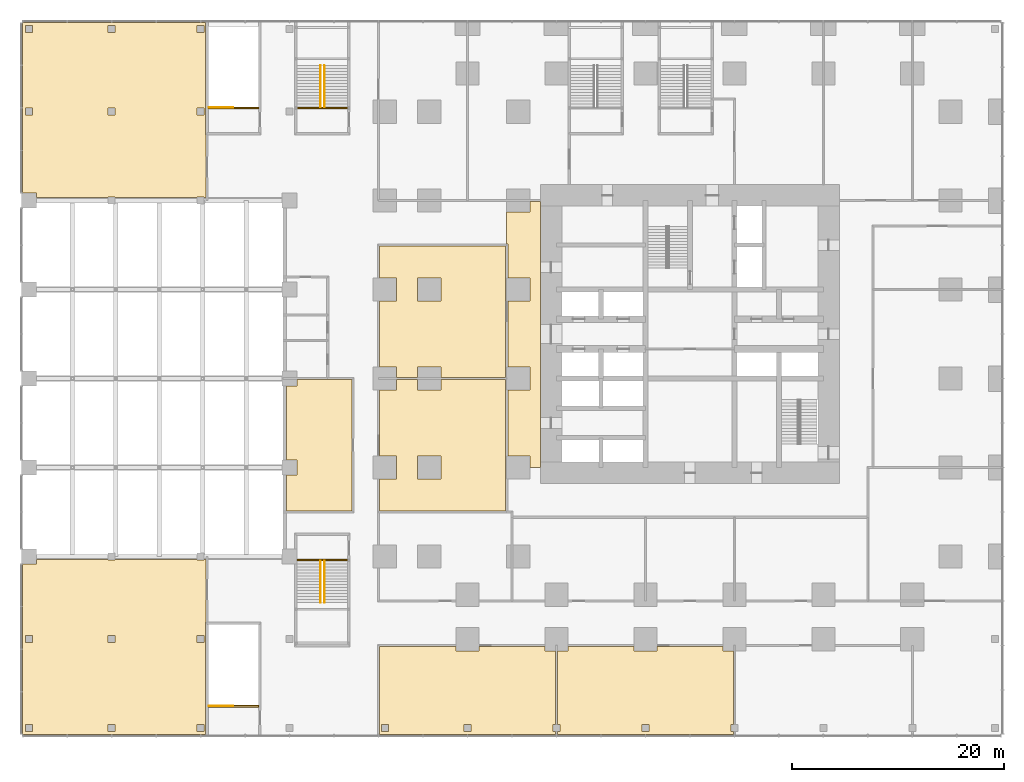
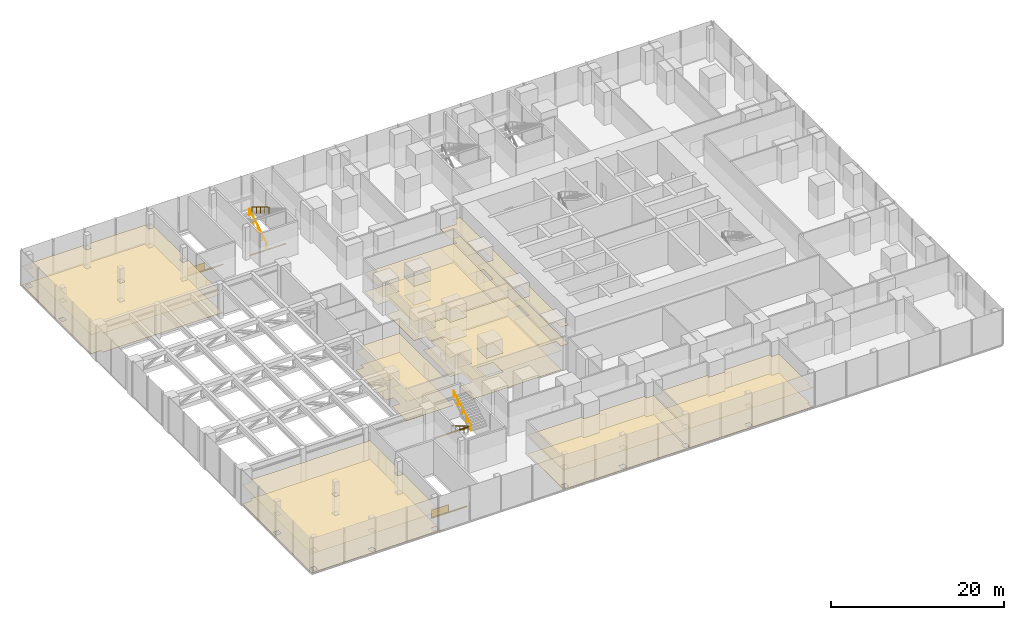
# One storey, part 31 of 33: 20 coverings, 6 railings.
"""IFC4 building model written with IfcOpenShell, lengths in metres."""

from ifc_helpers import new_model, si_unit, direction, frame, origin, origin_2d, place, context, subcontext, project, spatial, polyline, circle, outline, extrude, material, layer, layer_set, type_object, element, save


model = new_model("IFC4")

# Units and contexts
model_context = context("Model", 3, precision=1e-05, world=origin(), true_north=direction((0.0, 1.0)))
body_context = subcontext(model_context, "Body", "Model", "MODEL_VIEW")
ifc_project = project(units=[si_unit("LENGTHUNIT", "METRE"), si_unit("AREAUNIT", "SQUARE_METRE"), si_unit("VOLUMEUNIT", "CUBIC_METRE"), si_unit("PLANEANGLEUNIT", "RADIAN"), si_unit("MASSUNIT", "GRAM", prefix="KILO")], contexts=[model_context])

# Site, building, storey
site_placement = place(None, origin())
site = spatial("IfcSite", under=ifc_project, at=site_placement, CompositionType="ELEMENT")
building_placement = place(site_placement, origin())
building = spatial("IfcBuilding", under=site, at=building_placement, Name="Dunama Terrace Hotel", CompositionType="ELEMENT")
storey_placement = place(building_placement, frame((0.0, 0.0, 12.0)))
storey = spatial("IfcBuildingStorey", under=building, at=storey_placement, Name="L02", CompositionType="ELEMENT", Elevation=12.0)

# Railings
ifc_material_1 = material(Name="Stainless steel and laminated glass guard", Category="steel")
railing_type_1 = type_object("IfcRailingType", Name="Guard 1100", PredefinedType="GUARDRAIL", material=ifc_material_1)
for number, where, name in (
    (1, (-16.02490234375, 50.77490234375, 0.030029296875), "Stair well guard P1 L02"),
    (2, (-16.02490234375, -5.699951171875, 0.030029296875), "Stair well guard P2 L02"),
):
    element("IfcRailing", number, at=place(storey_placement, frame(where)), inside=storey, type_object=railing_type_1, Name=name, PredefinedType="GUARDRAIL", context=body_context, shape_type="SweptSolid", body=[
        extrude(circle(Radius=0.02392578125, at=origin_2d()), frame((0.0, 0.0, 1.076171875), z_axis=(1.0, 0.0, 0.0), x_axis=(0.0, 1.0, 0.0)), (0.0, 0.0, 1.0), 2.2998046875),
        extrude(circle(Radius=0.02099609375, at=origin_2d()), frame((0.0, 0.0, -0.030029296875)), (0.0, 0.0, 1.0), 1.08203125),
        extrude(circle(Radius=0.02099609375, at=origin_2d()), frame((1.14990234375, 0.0, -0.030029296875)), (0.0, 0.0, 1.0), 1.08203125),
        extrude(circle(Radius=0.02099609375, at=origin_2d()), frame((2.2998046875, 0.0, -0.030029296875)), (0.0, 0.0, 1.0), 1.08203125),
        extrude(outline(polyline([(0.0048828125, 0.050048828125), (1.14501953125, 0.050048828125), (1.14501953125, 1.076171875), (0.0048828125, 1.076171875), (0.0048828125, 0.050048828125)])), frame((0.0, 0.0087890625, 0.0), z_axis=(0.0, -1.0, 0.0), x_axis=(1.0, 0.0, 0.0)), (0.0, 0.0, 1.0), 0.017578125),
        extrude(outline(polyline([(0.0048828125, 0.050048828125), (1.14501953125, 0.050048828125), (1.14501953125, 1.076171875), (0.0048828125, 1.076171875), (0.0048828125, 0.050048828125)])), frame((1.14990234375, 0.0087890625, 0.0), z_axis=(0.0, -1.0, 0.0), x_axis=(1.0, 0.0, 0.0)), (0.0, 0.0, 1.0), 0.017578125),
    ])
ifc_material_2 = material(Name="Stainless steel handrail", Category="steel")
railing_type_2 = type_object("IfcRailingType", Name="Stair handrail 900", PredefinedType="HANDRAIL", material=ifc_material_2)
railing_1_placement = place(storey_placement, frame((-5.47509765625, 50.824951171875, 0.166748046875)))
element("IfcRailing", 3, at=railing_1_placement, inside=storey, type_object=railing_type_2, Name="Handrail P3 L02", PredefinedType="HANDRAIL", context=body_context, shape_type="SweptSolid", body=[
    extrude(circle(Radius=0.02392578125, at=origin_2d()), frame((0.0, 0.0, 0.8759765625), z_axis=(0.0, 0.859310244771, 0.511454693235), x_axis=(-1.0, 0.0, 0.0)), (0.0, 0.0, 1.0), 4.56201171875),
    extrude(circle(Radius=0.02099609375, at=origin_2d()), origin(), (0.0, 0.0, 1.0), 0.851806640625),
    extrude(circle(Radius=0.02099609375, at=origin_2d()), frame((0.0, 0.97998046875, 0.583251953125)), (0.0, 0.0, 1.0), 0.851806640625),
    extrude(circle(Radius=0.02099609375, at=origin_2d()), frame((0.0, 1.9599609375, 1.16650390625)), (0.0, 0.0, 1.0), 0.851806640625),
    extrude(circle(Radius=0.02099609375, at=origin_2d()), frame((0.0, 2.940185546875, 1.75)), (0.0, 0.0, 1.0), 0.851806640625),
    extrude(circle(Radius=0.02099609375, at=origin_2d()), frame((0.0, 3.920166015625, 2.333251953125)), (0.0, 0.0, 1.0), 0.851806640625),
])
for number, where, name in (
    (4, (-5.125, 54.7451171875, 2.666748046875), "Handrail P3 L02"),
    (5, (-5.47509765625, 7.97509765625, 0.166748046875), "Handrail P4 L02"),
):
    element("IfcRailing", number, at=place(storey_placement, frame(where)), inside=storey, type_object=railing_type_2, Name=name, PredefinedType="HANDRAIL", context=body_context, shape_type="SweptSolid", body=[
        extrude(circle(Radius=0.02392578125, at=origin_2d()), frame((0.0, 0.0, 0.8759765625), z_axis=(0.0, -0.859310244771, 0.511454693235), x_axis=(1.0, 0.0, 0.0)), (0.0, 0.0, 1.0), 4.56201171875),
        extrude(circle(Radius=0.02099609375, at=origin_2d()), origin(), (0.0, 0.0, 1.0), 0.851806640625),
        extrude(circle(Radius=0.02099609375, at=origin_2d()), frame((0.0, -0.97998046875, 0.583251953125)), (0.0, 0.0, 1.0), 0.851806640625),
        extrude(circle(Radius=0.02099609375, at=origin_2d()), frame((0.0, -1.9599609375, 1.16650390625)), (0.0, 0.0, 1.0), 0.851806640625),
        extrude(circle(Radius=0.02099609375, at=origin_2d()), frame((0.0, -2.940185546875, 1.75)), (0.0, 0.0, 1.0), 0.851806640625),
        extrude(circle(Radius=0.02099609375, at=origin_2d()), frame((0.0, -3.920166015625, 2.333251953125)), (0.0, 0.0, 1.0), 0.851806640625),
    ])
railing_2_placement = place(storey_placement, frame((-5.125, 4.054931640625, 2.666748046875)))
element("IfcRailing", 6, at=railing_2_placement, inside=storey, type_object=railing_type_2, Name="Handrail P4 L02", PredefinedType="HANDRAIL", context=body_context, shape_type="SweptSolid", body=[
    extrude(circle(Radius=0.02392578125, at=origin_2d()), frame((0.0, 0.0, 0.8759765625), z_axis=(0.0, 0.859310244771, 0.511454693235), x_axis=(-1.0, 0.0, 0.0)), (0.0, 0.0, 1.0), 4.56201171875),
    extrude(circle(Radius=0.02099609375, at=origin_2d()), origin(), (0.0, 0.0, 1.0), 0.851806640625),
    extrude(circle(Radius=0.02099609375, at=origin_2d()), frame((0.0, 0.97998046875, 0.583251953125)), (0.0, 0.0, 1.0), 0.851806640625),
    extrude(circle(Radius=0.02099609375, at=origin_2d()), frame((0.0, 1.9599609375, 1.16650390625)), (0.0, 0.0, 1.0), 0.851806640625),
    extrude(circle(Radius=0.02099609375, at=origin_2d()), frame((0.0, 2.940185546875, 1.75)), (0.0, 0.0, 1.0), 0.851806640625),
    extrude(circle(Radius=0.02099609375, at=origin_2d()), frame((0.0, 3.920166015625, 2.333251953125)), (0.0, 0.0, 1.0), 0.851806640625),
])

# Coverings
ifc_material_3 = material(Name="Natural stone floor tiles", Category="masonry")
ifc_layer_1 = layer(ifc_material_3, 0.030029296875)
ifc_layer_set_1 = layer_set([ifc_layer_1], Name="Stone floor finish 30")
covering_type_1 = type_object("IfcCoveringType", Name="Stone floor finish 30", PredefinedType="FLOORING", material=ifc_layer_set_1)
covering_1_placement = place(storey_placement, origin())
element("IfcCovering", 7, at=covering_1_placement, inside=storey, type_object=covering_type_1, Name="Stair threshold P1 L02", PredefinedType="FLOORING", context=body_context, shape_type="SweptSolid", body=[
    extrude(outline(polyline([(-11.324951171875, 50.659912109375), (-11.324951171875, 50.824951171875), (-16.074951171875, 50.824951171875), (-16.074951171875, 50.659912109375), (-11.324951171875, 50.659912109375)])), origin(), (0.0, 0.0, 1.0), 0.030029296875),
])
covering_2_placement = place(storey_placement, origin())
element("IfcCovering", 8, at=covering_2_placement, inside=storey, type_object=covering_type_1, Name="Stair threshold P2 L02", PredefinedType="FLOORING", context=body_context, shape_type="SweptSolid", body=[
    extrude(outline(polyline([(-11.324951171875, -5.81494140625), (-11.324951171875, -5.64990234375), (-16.074951171875, -5.64990234375), (-16.074951171875, -5.81494140625), (-11.324951171875, -5.81494140625)])), origin(), (0.0, 0.0, 1.0), 0.030029296875),
])
covering_3_placement = place(storey_placement, origin())
element("IfcCovering", 9, at=covering_3_placement, inside=storey, type_object=covering_type_1, Name="Stair threshold P3 L02", PredefinedType="FLOORING", context=body_context, shape_type="SweptSolid", body=[
    extrude(outline(polyline([(-2.925048828125, 50.659912109375), (-2.925048828125, 50.824951171875), (-7.675048828125, 50.824951171875), (-7.675048828125, 50.659912109375), (-2.925048828125, 50.659912109375)])), origin(), (0.0, 0.0, 1.0), 0.030029296875),
])
covering_4_placement = place(storey_placement, origin())
element("IfcCovering", 10, at=covering_4_placement, inside=storey, type_object=covering_type_1, Name="Stair threshold P4 L02", PredefinedType="FLOORING", context=body_context, shape_type="SweptSolid", body=[
    extrude(outline(polyline([(-2.925048828125, 7.97509765625), (-2.925048828125, 8.139892578125), (-7.675048828125, 8.139892578125), (-7.675048828125, 7.97509765625), (-2.925048828125, 7.97509765625)])), origin(), (0.0, 0.0, 1.0), 0.030029296875),
])
covering_5_placement = place(storey_placement, origin())
element("IfcCovering", 11, at=covering_5_placement, inside=storey, type_object=covering_type_1, Name="Floor finish L02-22", PredefinedType="FLOORING", context=body_context, shape_type="SweptSolid", body=[
    extrude(outline(polyline([(-33.60009765625, 58.800048828125), (-33.60009765625, 42.699951171875), (-32.300048828125, 42.699951171875), (-32.300048828125, 42.300048828125), (-25.52490234375, 42.300048828125), (-25.52490234375, 42.324951171875), (-24.875, 42.324951171875), (-24.875, 42.300048828125), (-17.125, 42.300048828125), (-17.125, 42.324951171875), (-16.47509765625, 42.324951171875), (-16.47509765625, 42.300048828125), (-16.300048828125, 42.300048828125), (-16.300048828125, 48.175048828125), (-16.324951171875, 48.175048828125), (-16.324951171875, 48.425048828125), (-16.324951171875, 58.800048828125), (-33.60009765625, 58.800048828125)]), holes=[polyline([(-16.47509765625, 50.72509765625), (-16.47509765625, 50.074951171875), (-17.125, 50.074951171875), (-17.125, 50.72509765625), (-16.47509765625, 50.72509765625)]), polyline([(-32.675048828125, 50.72509765625), (-32.675048828125, 50.074951171875), (-33.324951171875, 50.074951171875), (-33.324951171875, 50.72509765625), (-32.675048828125, 50.72509765625)]), polyline([(-24.875, 50.72509765625), (-24.875, 50.074951171875), (-25.52490234375, 50.074951171875), (-25.52490234375, 50.72509765625), (-24.875, 50.72509765625)]), polyline([(-33.324951171875, 58.52490234375), (-32.675048828125, 58.52490234375), (-32.675048828125, 57.875), (-33.324951171875, 57.875), (-33.324951171875, 58.52490234375)]), polyline([(-16.47509765625, 58.52490234375), (-16.47509765625, 57.875), (-17.125, 57.875), (-17.125, 58.52490234375), (-16.47509765625, 58.52490234375)]), polyline([(-25.52490234375, 58.52490234375), (-24.875, 58.52490234375), (-24.875, 57.875), (-25.52490234375, 57.875), (-25.52490234375, 58.52490234375)])]), origin(), (0.0, 0.0, 1.0), 0.030029296875),
])
covering_6_placement = place(storey_placement, origin())
element("IfcCovering", 12, at=covering_6_placement, inside=storey, type_object=covering_type_1, Name="Floor finish L02-23", PredefinedType="FLOORING", context=body_context, shape_type="SweptSolid", body=[
    extrude(outline(polyline([(-33.60009765625, -8.39990234375), (-16.324951171875, -8.39990234375), (-16.324951171875, 1.97509765625), (-16.324951171875, 2.10009765625), (-16.324951171875, 2.22509765625), (-16.300048828125, 2.22509765625), (-16.300048828125, 8.10009765625), (-16.47509765625, 8.10009765625), (-16.47509765625, 8.074951171875), (-17.125, 8.074951171875), (-17.125, 8.10009765625), (-24.875, 8.10009765625), (-24.875, 8.074951171875), (-25.52490234375, 8.074951171875), (-25.52490234375, 8.10009765625), (-32.300048828125, 8.10009765625), (-32.300048828125, 7.699951171875), (-33.60009765625, 7.699951171875), (-33.60009765625, -8.39990234375)]), holes=[polyline([(-32.675048828125, -7.47509765625), (-32.675048828125, -8.125), (-33.324951171875, -8.125), (-33.324951171875, -7.47509765625), (-32.675048828125, -7.47509765625)]), polyline([(-16.47509765625, -7.47509765625), (-16.47509765625, -8.125), (-17.125, -8.125), (-17.125, -7.47509765625), (-16.47509765625, -7.47509765625)]), polyline([(-25.52490234375, -7.47509765625), (-24.875, -7.47509765625), (-24.875, -8.125), (-25.52490234375, -8.125), (-25.52490234375, -7.47509765625)]), polyline([(-32.675048828125, 0.925048828125), (-32.675048828125, 0.27490234375), (-33.324951171875, 0.27490234375), (-33.324951171875, 0.925048828125), (-32.675048828125, 0.925048828125)]), polyline([(-16.47509765625, 0.925048828125), (-16.47509765625, 0.27490234375), (-17.125, 0.27490234375), (-17.125, 0.925048828125), (-16.47509765625, 0.925048828125)]), polyline([(-25.52490234375, 0.925048828125), (-24.875, 0.925048828125), (-24.875, 0.27490234375), (-25.52490234375, 0.27490234375), (-25.52490234375, 0.925048828125)])]), origin(), (0.0, 0.0, 1.0), 0.030029296875),
])
covering_7_placement = place(storey_placement, origin())
element("IfcCovering", 13, at=covering_7_placement, inside=storey, type_object=covering_type_1, Name="Floor finish L02-30", PredefinedType="FLOORING", context=body_context, shape_type="SweptSolid", body=[
    extrude(outline(polyline([(0.10009765625, -8.39990234375), (16.72509765625, -8.39990234375), (16.72509765625, -8.125), (16.47509765625, -8.125), (16.47509765625, -7.47509765625), (16.72509765625, -7.47509765625), (16.72509765625, -0.5), (15.699951171875, -0.5), (15.699951171875, -0.10009765625), (9.5, -0.10009765625), (9.5, -0.5), (7.300048828125, -0.5), (7.300048828125, -0.10009765625), (0.10009765625, -0.10009765625), (0.10009765625, -8.39990234375)]), holes=[polyline([(0.925048828125, -7.47509765625), (0.925048828125, -8.125), (0.27490234375, -8.125), (0.27490234375, -7.47509765625), (0.925048828125, -7.47509765625)]), polyline([(8.72509765625, -7.47509765625), (8.72509765625, -8.125), (8.074951171875, -8.125), (8.074951171875, -7.47509765625), (8.72509765625, -7.47509765625)])]), origin(), (0.0, 0.0, 1.0), 0.030029296875),
])
covering_8_placement = place(storey_placement, origin())
element("IfcCovering", 14, at=covering_8_placement, inside=storey, type_object=covering_type_1, Name="Floor finish L02-31", PredefinedType="FLOORING", context=body_context, shape_type="SweptSolid", body=[
    extrude(outline(polyline([(16.875, -8.39990234375), (33.52490234375, -8.39990234375), (33.52490234375, -8.125), (33.27490234375, -8.125), (33.27490234375, -7.47509765625), (33.52490234375, -7.47509765625), (33.52490234375, -0.5), (32.5, -0.5), (32.5, -0.10009765625), (26.300048828125, -0.10009765625), (26.300048828125, -0.5), (24.10009765625, -0.5), (24.10009765625, -0.10009765625), (17.89990234375, -0.10009765625), (17.89990234375, -0.5), (16.875, -0.5), (16.875, -7.47509765625), (17.125, -7.47509765625), (17.125, -8.125), (16.875, -8.125), (16.875, -8.39990234375)]), holes=[polyline([(25.52490234375, -7.47509765625), (25.52490234375, -8.125), (24.875, -8.125), (24.875, -7.47509765625), (25.52490234375, -7.47509765625)])]), origin(), (0.0, 0.0, 1.0), 0.030029296875),
])
covering_9_placement = place(storey_placement, origin())
element("IfcCovering", 15, at=covering_9_placement, inside=storey, type_object=covering_type_1, Name="Floor finish L02-36", PredefinedType="FLOORING", context=body_context, shape_type="SweptSolid", body=[
    extrude(outline(polyline([(5.89990234375, 24.10009765625), (3.699951171875, 24.10009765625), (3.699951171875, 25.125), (1.699951171875, 25.125), (1.699951171875, 24.10009765625), (0.10009765625, 24.10009765625), (0.10009765625, 17.89990234375), (1.699951171875, 17.89990234375), (1.699951171875, 15.699951171875), (0.10009765625, 15.699951171875), (0.10009765625, 12.675048828125), (12.0, 12.675048828125), (12.0, 12.699951171875), (12.0, 25.125), (5.89990234375, 25.125), (5.89990234375, 24.10009765625)]), holes=[polyline([(5.89990234375, 17.89990234375), (5.89990234375, 15.699951171875), (3.699951171875, 15.699951171875), (3.699951171875, 17.89990234375), (5.89990234375, 17.89990234375)])]), origin(), (0.0, 0.0, 1.0), 0.030029296875),
])
covering_10_placement = place(storey_placement, origin())
element("IfcCovering", 16, at=covering_10_placement, inside=storey, type_object=covering_type_1, Name="Floor finish L02-37", PredefinedType="FLOORING", context=body_context, shape_type="SweptSolid", body=[
    extrude(outline(polyline([(0.10009765625, 37.699951171875), (0.10009765625, 34.699951171875), (1.699951171875, 34.699951171875), (1.699951171875, 32.5), (0.10009765625, 32.5), (0.10009765625, 26.300048828125), (1.699951171875, 26.300048828125), (1.699951171875, 25.27490234375), (3.699951171875, 25.27490234375), (3.699951171875, 26.300048828125), (5.89990234375, 26.300048828125), (5.89990234375, 25.27490234375), (12.0, 25.27490234375), (12.0, 37.699951171875), (0.10009765625, 37.699951171875)]), holes=[polyline([(3.699951171875, 34.699951171875), (5.89990234375, 34.699951171875), (5.89990234375, 32.5), (3.699951171875, 32.5), (3.699951171875, 34.699951171875)])]), origin(), (0.0, 0.0, 1.0), 0.030029296875),
])
covering_11_placement = place(storey_placement, origin())
element("IfcCovering", 17, at=covering_11_placement, inside=storey, type_object=covering_type_1, Name="Floor finish L02-38", PredefinedType="FLOORING", context=body_context, shape_type="SweptSolid", body=[
    extrude(outline(polyline([(-7.699951171875, 24.5), (-8.699951171875, 24.5), (-8.699951171875, 17.5), (-7.699951171875, 17.5), (-7.699951171875, 16.10009765625), (-8.699951171875, 16.10009765625), (-8.699951171875, 12.699951171875), (-2.5, 12.699951171875), (-2.5, 25.10009765625), (-4.699951171875, 25.10009765625), (-4.800048828125, 25.10009765625), (-4.89990234375, 25.10009765625), (-4.89990234375, 25.125), (-7.699951171875, 25.125), (-7.699951171875, 24.5)])), origin(), (0.0, 0.0, 1.0), 0.030029296875),
])
covering_12_placement = place(storey_placement, origin())
element("IfcCovering", 18, at=covering_12_placement, inside=storey, type_object=covering_type_1, Name="Floor finish L02-45", PredefinedType="FLOORING", context=body_context, shape_type="SweptSolid", body=[
    extrude(outline(polyline([(14.300048828125, 16.800048828125), (15.300048828125, 16.800048828125), (15.300048828125, 17.300048828125), (15.300048828125, 41.5), (15.300048828125, 41.89990234375), (14.300048828125, 41.89990234375), (14.300048828125, 40.89990234375), (12.10009765625, 40.89990234375), (12.10009765625, 37.89990234375), (12.199951171875, 37.89990234375), (12.199951171875, 37.699951171875), (12.199951171875, 34.699951171875), (14.300048828125, 34.699951171875), (14.300048828125, 32.5), (12.199951171875, 32.5), (12.199951171875, 26.300048828125), (14.300048828125, 26.300048828125), (14.300048828125, 24.10009765625), (12.199951171875, 24.10009765625), (12.199951171875, 17.89990234375), (14.300048828125, 17.89990234375), (14.300048828125, 16.800048828125)])), origin(), (0.0, 0.0, 1.0), 0.030029296875),
])
ifc_material_4 = material(Name="Gypsum plasterboard ceiling")
ifc_layer_2 = layer(ifc_material_4, 0.02001953125)
ifc_layer_set_2 = layer_set([ifc_layer_2], Name="Suspended ceiling 20")
covering_type_2 = type_object("IfcCoveringType", Name="Suspended ceiling 20", PredefinedType="CEILING", material=ifc_layer_set_2)
covering_13_placement = place(storey_placement, frame((0.0, 0.0, 2.699951171875)))
element("IfcCovering", 19, at=covering_13_placement, inside=storey, type_object=covering_type_2, Name="Ceiling L02-22", PredefinedType="CEILING", context=body_context, shape_type="SweptSolid", body=[
    extrude(outline(polyline([(-16.324951171875, 58.800048828125), (-33.60009765625, 58.800048828125), (-33.60009765625, 42.699951171875), (-32.300048828125, 42.699951171875), (-32.300048828125, 42.300048828125), (-25.52490234375, 42.300048828125), (-25.52490234375, 42.324951171875), (-24.875, 42.324951171875), (-24.875, 42.300048828125), (-17.125, 42.300048828125), (-17.125, 42.324951171875), (-16.47509765625, 42.324951171875), (-16.47509765625, 42.300048828125), (-16.300048828125, 42.300048828125), (-16.300048828125, 48.175048828125), (-16.324951171875, 48.175048828125), (-16.324951171875, 48.425048828125), (-16.324951171875, 58.800048828125)]), holes=[polyline([(-17.125, 50.72509765625), (-16.47509765625, 50.72509765625), (-16.47509765625, 50.074951171875), (-17.125, 50.074951171875), (-17.125, 50.72509765625)]), polyline([(-33.324951171875, 50.72509765625), (-32.675048828125, 50.72509765625), (-32.675048828125, 50.074951171875), (-33.324951171875, 50.074951171875), (-33.324951171875, 50.72509765625)]), polyline([(-25.52490234375, 50.72509765625), (-24.875, 50.72509765625), (-24.875, 50.074951171875), (-25.52490234375, 50.074951171875), (-25.52490234375, 50.72509765625)]), polyline([(-33.324951171875, 57.875), (-33.324951171875, 58.52490234375), (-32.675048828125, 58.52490234375), (-32.675048828125, 57.875), (-33.324951171875, 57.875)]), polyline([(-17.125, 58.52490234375), (-16.47509765625, 58.52490234375), (-16.47509765625, 57.875), (-17.125, 57.875), (-17.125, 58.52490234375)]), polyline([(-25.52490234375, 57.875), (-25.52490234375, 58.52490234375), (-24.875, 58.52490234375), (-24.875, 57.875), (-25.52490234375, 57.875)])]), origin(), (0.0, 0.0, 1.0), 0.02001953125),
])
covering_14_placement = place(storey_placement, frame((0.0, 0.0, 2.699951171875)))
element("IfcCovering", 20, at=covering_14_placement, inside=storey, type_object=covering_type_2, Name="Ceiling L02-23", PredefinedType="CEILING", context=body_context, shape_type="SweptSolid", body=[
    extrude(outline(polyline([(-33.60009765625, 7.699951171875), (-33.60009765625, -8.39990234375), (-16.324951171875, -8.39990234375), (-16.324951171875, 1.97509765625), (-16.324951171875, 2.10009765625), (-16.324951171875, 2.22509765625), (-16.300048828125, 2.22509765625), (-16.300048828125, 8.10009765625), (-16.47509765625, 8.10009765625), (-16.47509765625, 8.074951171875), (-17.125, 8.074951171875), (-17.125, 8.10009765625), (-24.875, 8.10009765625), (-24.875, 8.074951171875), (-25.52490234375, 8.074951171875), (-25.52490234375, 8.10009765625), (-32.300048828125, 8.10009765625), (-32.300048828125, 7.699951171875), (-33.60009765625, 7.699951171875)]), holes=[polyline([(-33.324951171875, -7.47509765625), (-32.675048828125, -7.47509765625), (-32.675048828125, -8.125), (-33.324951171875, -8.125), (-33.324951171875, -7.47509765625)]), polyline([(-17.125, -7.47509765625), (-16.47509765625, -7.47509765625), (-16.47509765625, -8.125), (-17.125, -8.125), (-17.125, -7.47509765625)]), polyline([(-25.52490234375, -8.125), (-25.52490234375, -7.47509765625), (-24.875, -7.47509765625), (-24.875, -8.125), (-25.52490234375, -8.125)]), polyline([(-33.324951171875, 0.925048828125), (-32.675048828125, 0.925048828125), (-32.675048828125, 0.27490234375), (-33.324951171875, 0.27490234375), (-33.324951171875, 0.925048828125)]), polyline([(-17.125, 0.925048828125), (-16.47509765625, 0.925048828125), (-16.47509765625, 0.27490234375), (-17.125, 0.27490234375), (-17.125, 0.925048828125)]), polyline([(-25.52490234375, 0.27490234375), (-25.52490234375, 0.925048828125), (-24.875, 0.925048828125), (-24.875, 0.27490234375), (-25.52490234375, 0.27490234375)])]), origin(), (0.0, 0.0, 1.0), 0.02001953125),
])
covering_15_placement = place(storey_placement, frame((0.0, 0.0, 2.699951171875)))
element("IfcCovering", 21, at=covering_15_placement, inside=storey, type_object=covering_type_2, Name="Ceiling L02-30", PredefinedType="CEILING", context=body_context, shape_type="SweptSolid", body=[
    extrude(outline(polyline([(0.10009765625, -0.10009765625), (0.10009765625, -8.39990234375), (16.72509765625, -8.39990234375), (16.72509765625, -8.125), (16.47509765625, -8.125), (16.47509765625, -7.47509765625), (16.72509765625, -7.47509765625), (16.72509765625, -0.5), (15.699951171875, -0.5), (15.699951171875, -0.10009765625), (9.5, -0.10009765625), (9.5, -0.5), (7.300048828125, -0.5), (7.300048828125, -0.10009765625), (0.10009765625, -0.10009765625)]), holes=[polyline([(0.27490234375, -7.47509765625), (0.925048828125, -7.47509765625), (0.925048828125, -8.125), (0.27490234375, -8.125), (0.27490234375, -7.47509765625)]), polyline([(8.074951171875, -7.47509765625), (8.72509765625, -7.47509765625), (8.72509765625, -8.125), (8.074951171875, -8.125), (8.074951171875, -7.47509765625)])]), origin(), (0.0, 0.0, 1.0), 0.02001953125),
])
covering_16_placement = place(storey_placement, frame((0.0, 0.0, 2.699951171875)))
element("IfcCovering", 22, at=covering_16_placement, inside=storey, type_object=covering_type_2, Name="Ceiling L02-31", PredefinedType="CEILING", context=body_context, shape_type="SweptSolid", body=[
    extrude(outline(polyline([(16.875, -8.125), (16.875, -8.39990234375), (33.52490234375, -8.39990234375), (33.52490234375, -8.125), (33.27490234375, -8.125), (33.27490234375, -7.47509765625), (33.52490234375, -7.47509765625), (33.52490234375, -0.5), (32.5, -0.5), (32.5, -0.10009765625), (26.300048828125, -0.10009765625), (26.300048828125, -0.5), (24.10009765625, -0.5), (24.10009765625, -0.10009765625), (17.89990234375, -0.10009765625), (17.89990234375, -0.5), (16.875, -0.5), (16.875, -7.47509765625), (17.125, -7.47509765625), (17.125, -8.125), (16.875, -8.125)]), holes=[polyline([(24.875, -7.47509765625), (25.52490234375, -7.47509765625), (25.52490234375, -8.125), (24.875, -8.125), (24.875, -7.47509765625)])]), origin(), (0.0, 0.0, 1.0), 0.02001953125),
])
covering_17_placement = place(storey_placement, frame((0.0, 0.0, 2.699951171875)))
element("IfcCovering", 23, at=covering_17_placement, inside=storey, type_object=covering_type_2, Name="Ceiling L02-36", PredefinedType="CEILING", context=body_context, shape_type="SweptSolid", body=[
    extrude(outline(polyline([(5.89990234375, 25.125), (5.89990234375, 24.10009765625), (3.699951171875, 24.10009765625), (3.699951171875, 25.125), (1.699951171875, 25.125), (1.699951171875, 24.10009765625), (0.10009765625, 24.10009765625), (0.10009765625, 17.89990234375), (1.699951171875, 17.89990234375), (1.699951171875, 15.699951171875), (0.10009765625, 15.699951171875), (0.10009765625, 12.675048828125), (12.0, 12.675048828125), (12.0, 12.699951171875), (12.0, 25.125), (5.89990234375, 25.125)]), holes=[polyline([(3.699951171875, 17.89990234375), (5.89990234375, 17.89990234375), (5.89990234375, 15.699951171875), (3.699951171875, 15.699951171875), (3.699951171875, 17.89990234375)])]), origin(), (0.0, 0.0, 1.0), 0.02001953125),
])
covering_18_placement = place(storey_placement, frame((0.0, 0.0, 2.699951171875)))
element("IfcCovering", 24, at=covering_18_placement, inside=storey, type_object=covering_type_2, Name="Ceiling L02-37", PredefinedType="CEILING", context=body_context, shape_type="SweptSolid", body=[
    extrude(outline(polyline([(12.0, 37.699951171875), (0.10009765625, 37.699951171875), (0.10009765625, 34.699951171875), (1.699951171875, 34.699951171875), (1.699951171875, 32.5), (0.10009765625, 32.5), (0.10009765625, 26.300048828125), (1.699951171875, 26.300048828125), (1.699951171875, 25.27490234375), (3.699951171875, 25.27490234375), (3.699951171875, 26.300048828125), (5.89990234375, 26.300048828125), (5.89990234375, 25.27490234375), (12.0, 25.27490234375), (12.0, 37.699951171875)]), holes=[polyline([(3.699951171875, 32.5), (3.699951171875, 34.699951171875), (5.89990234375, 34.699951171875), (5.89990234375, 32.5), (3.699951171875, 32.5)])]), origin(), (0.0, 0.0, 1.0), 0.02001953125),
])
covering_19_placement = place(storey_placement, frame((0.0, 0.0, 2.699951171875)))
element("IfcCovering", 25, at=covering_19_placement, inside=storey, type_object=covering_type_2, Name="Ceiling L02-38", PredefinedType="CEILING", context=body_context, shape_type="SweptSolid", body=[
    extrude(outline(polyline([(-7.699951171875, 25.125), (-7.699951171875, 24.5), (-8.699951171875, 24.5), (-8.699951171875, 17.5), (-7.699951171875, 17.5), (-7.699951171875, 16.10009765625), (-8.699951171875, 16.10009765625), (-8.699951171875, 12.699951171875), (-2.5, 12.699951171875), (-2.5, 25.10009765625), (-4.699951171875, 25.10009765625), (-4.800048828125, 25.10009765625), (-4.89990234375, 25.10009765625), (-4.89990234375, 25.125), (-7.699951171875, 25.125)])), origin(), (0.0, 0.0, 1.0), 0.02001953125),
])
covering_20_placement = place(storey_placement, frame((0.0, 0.0, 2.699951171875)))
element("IfcCovering", 26, at=covering_20_placement, inside=storey, type_object=covering_type_2, Name="Ceiling L02-45", PredefinedType="CEILING", context=body_context, shape_type="SweptSolid", body=[
    extrude(outline(polyline([(14.300048828125, 17.89990234375), (14.300048828125, 16.800048828125), (15.300048828125, 16.800048828125), (15.300048828125, 17.300048828125), (15.300048828125, 41.5), (15.300048828125, 41.89990234375), (14.300048828125, 41.89990234375), (14.300048828125, 40.89990234375), (12.10009765625, 40.89990234375), (12.10009765625, 37.89990234375), (12.199951171875, 37.89990234375), (12.199951171875, 37.699951171875), (12.199951171875, 34.699951171875), (14.300048828125, 34.699951171875), (14.300048828125, 32.5), (12.199951171875, 32.5), (12.199951171875, 26.300048828125), (14.300048828125, 26.300048828125), (14.300048828125, 24.10009765625), (12.199951171875, 24.10009765625), (12.199951171875, 17.89990234375), (14.300048828125, 17.89990234375)])), origin(), (0.0, 0.0, 1.0), 0.02001953125),
])

save(model, "model.ifc")
